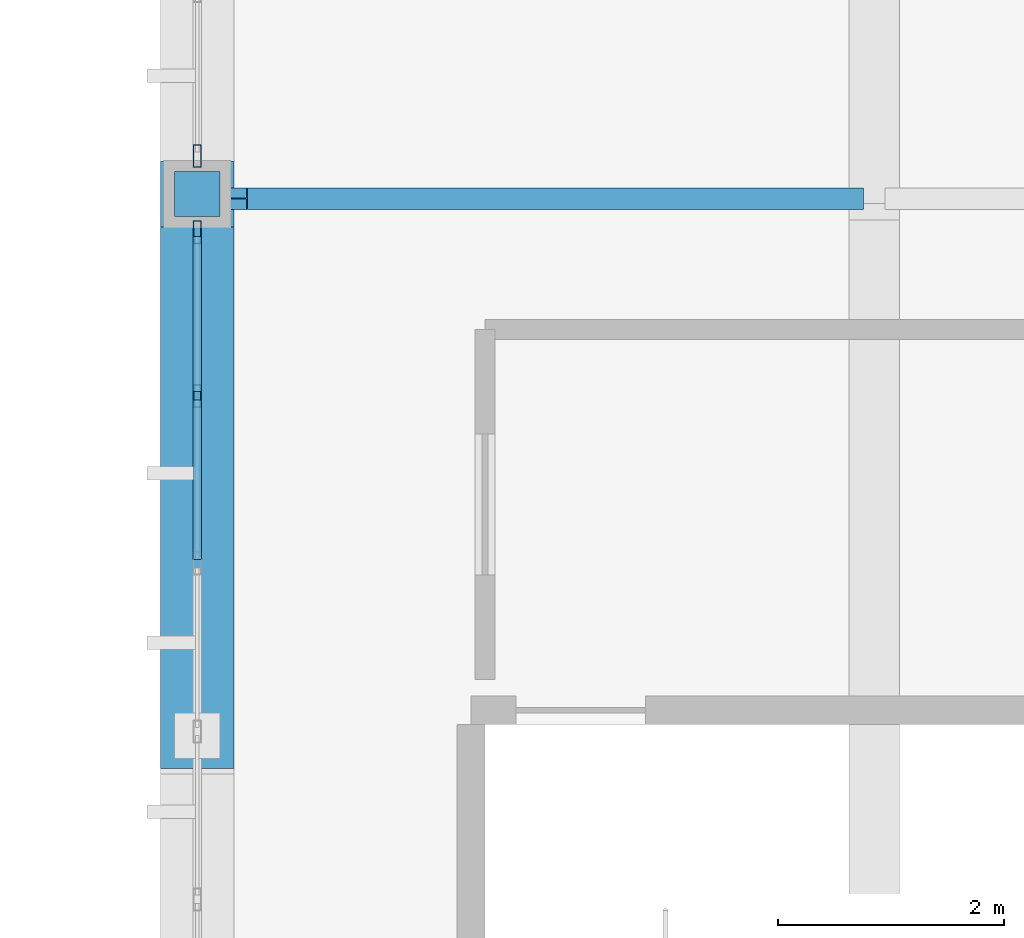
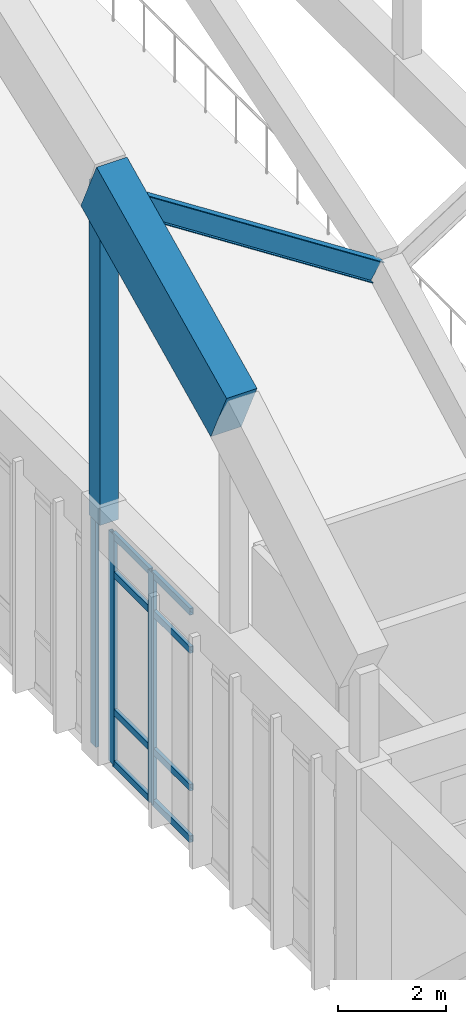
# One storey, part 31 of 236: 13 members, 1 beam, 2 elements without a shape of their own.
"""IFC4 building model written with IfcOpenShell, lengths in metres."""

from ifc_helpers import new_model, si_unit, direction, frame, origin, origin_2d, place, context, subcontext, project, spatial, rectangle, hollow_rectangle, i_section, extrude, material, layer, layer_set, material_profile, profile_set, type_object, element, aggregate, save


model = new_model("IFC4")

# Units and contexts
model_context = context("Model", 3, precision=1e-05, world=origin(), true_north=direction((0.0, 1.0)))
body_context = subcontext(model_context, "Body", "Model", "MODEL_VIEW")
ifc_project = project(units=[si_unit("LENGTHUNIT", "METRE"), si_unit("AREAUNIT", "SQUARE_METRE"), si_unit("VOLUMEUNIT", "CUBIC_METRE"), si_unit("PLANEANGLEUNIT", "RADIAN"), si_unit("MASSUNIT", "GRAM", prefix="KILO")], contexts=[model_context])

# Site, building, storey
site_placement = place(None, origin())
site = spatial("IfcSite", under=ifc_project, at=site_placement, CompositionType="ELEMENT")
building_placement = place(site_placement, origin())
building = spatial("IfcBuilding", under=site, at=building_placement, Name="Pandanus Reach Market Hall", CompositionType="ELEMENT")
storey_placement = place(building_placement, frame((0.0, 0.0, 5.39990234375)))
storey = spatial("IfcBuildingStorey", under=building, at=storey_placement, Name="L01", CompositionType="ELEMENT", Elevation=5.39990234375)

# Members
ifc_material_1 = material(Name="Concrete N50 (50 MPa)", Category="concrete")
ifc_material_profile_1 = material_profile(ifc_material_1, rectangle(XDim=0.64990234375, YDim=1.35009765625, at=origin_2d()), Name="RC650x1350", Category="LoadBearing")
ifc_profile_set_1 = profile_set([ifc_material_profile_1], Name="Concrete N50 (50 MPa)")
member_type_1 = type_object("IfcMemberType", Name="AR-RC650-E", PredefinedType="CHORD", material=ifc_profile_set_1)
member_1_placement = place(storey_placement, frame((48.0, 33.60009765625, 10.59130859375), z_axis=(0.0, 0.901823476756, 0.43210463637), x_axis=(-1.0, 0.0, 0.0)))
element("IfcMember", 1, at=member_1_placement, inside=storey, type_object=member_type_1, Name="Parabolic arch top chord A1.2", PredefinedType="CHORD", context=body_context, shape_type="SweptSolid", body=[
    extrude(rectangle(XDim=0.64990234375, YDim=1.35009765625, at=origin_2d()), origin(), (0.0, 0.0, 1.0), 5.322265625),
])
ifc_material_profile_2 = material_profile(ifc_material_1, rectangle(XDim=0.39990234375, YDim=0.39990234375, at=origin_2d()), Name="RC400x400", Category="LoadBearing")
ifc_profile_set_2 = profile_set([ifc_material_profile_2], Name="Concrete N50 (50 MPa)")
member_type_2 = type_object("IfcMemberType", Name="AR-WEB400-E", PredefinedType="STRUT", material=ifc_profile_set_2)
member_2_placement = place(storey_placement, frame((48.0, 38.39990234375, 5.3251953125), z_axis=(0.0, 0.0, 1.0), x_axis=(1.0, 0.0, 0.0)))
element("IfcMember", 2, at=member_2_placement, inside=storey, type_object=member_type_2, Name="Arch truss vertical web strut A1.2", PredefinedType="STRUT", context=body_context, shape_type="SweptSolid", body=[
    extrude(rectangle(XDim=0.39990234375, YDim=0.39990234375, at=origin_2d()), origin(), (0.0, 0.0, 1.0), 7.56591796875),
])

# Beam
ifc_material_2 = material(Name="Steel Grade 350 (350 MPa)", Category="steel")
ifc_material_profile_3 = material_profile(ifc_material_2, i_section(OverallWidth=0.18994140625, OverallDepth=0.45703125, WebThickness=0.009033203125, FlangeThickness=0.014404296875, at=origin_2d()), Name="460UB74.6", Category="LoadBearing")
ifc_profile_set_3 = profile_set([ifc_material_profile_3], Name="Steel Grade 350 (350 MPa)")
beam_type = type_object("IfcBeamType", Name="BM-UB460-I", PredefinedType="BEAM", material=ifc_profile_set_3)
beam_placement = place(storey_placement, frame((48.320068359375, 38.360107421875, 12.42431640625), z_axis=(0.839070527962, 0.0, -0.544022654956), x_axis=(0.0, 1.0, 0.0)))
element("IfcBeam", 3, at=beam_placement, inside=storey, type_object=beam_type, Name="Butterfly transverse rib B1.2L", PredefinedType="BEAM", context=body_context, shape_type="SweptSolid", body=[
    extrude(i_section(OverallWidth=0.18994140625, OverallDepth=0.45703125, WebThickness=0.009033203125, FlangeThickness=0.014404296875, at=origin_2d()), origin(), (0.0, 0.0, 1.0), 6.507080078125),
])

# Curtain wall, members
ifc_material_3 = material(Name="Bronze anodised aluminium and low-E glass", Category="aluminium")
ifc_layer_1 = layer(ifc_material_3, 0.199951171875, Name="CW-04")
ifc_layer_set_1 = layer_set([ifc_layer_1], Name="Bronze anodised aluminium and low-E glass")
curtain_wall_type_1 = type_object("IfcCurtainWallType", Name="CW-04", PredefinedType="NOTDEFINED", material=ifc_layer_set_1)
curtain_wall_1_placement = place(storey_placement, origin())
curtain_wall_1 = element("IfcCurtainWall", 4, at=curtain_wall_1_placement, inside=storey, type_object=curtain_wall_type_1, Name="Glazed curtain wall CW-04 CW-0019", PredefinedType="NOTDEFINED")
ifc_material_4 = material(Name="Bronze anodised aluminium", Category="aluminium")
ifc_material_profile_4 = material_profile(ifc_material_4, hollow_rectangle(XDim=0.074951171875, YDim=0.199951171875, WallThickness=0.00439453125, at=origin_2d()), Name="ALU75x200", Category="LoadBearing")
ifc_profile_set_4 = profile_set([ifc_material_profile_4], Name="Bronze anodised aluminium")
member_type_3 = type_object("IfcMemberType", Name="CW-M2", PredefinedType="MULLION", material=ifc_profile_set_4)
member_3_placement = place(storey_placement, frame((48.0, 36.612548828125, 0.0), z_axis=(0.0, 0.0, 1.0), x_axis=(-1.0, 0.0, 0.0)))
member_3 = element("IfcMember", 5, at=member_3_placement, type_object=member_type_3, Name="CW-04 mullion 6", PredefinedType="MULLION", context=body_context, shape_type="SweptSolid", body=[
    extrude(hollow_rectangle(XDim=0.074951171875, YDim=0.199951171875, WallThickness=0.00439453125, at=origin_2d()), origin(), (0.0, 0.0, 1.0), 5.2001953125),
])
member_4_placement = place(storey_placement, frame((48.0, 38.0625, 0.0), z_axis=(0.0, 0.0, 1.0), x_axis=(-1.0, 0.0, 0.0)))
member_4 = element("IfcMember", 6, at=member_4_placement, type_object=member_type_3, Name="CW-04 mullion 7", PredefinedType="MULLION", context=body_context, shape_type="SweptSolid", body=[
    extrude(hollow_rectangle(XDim=0.074951171875, YDim=0.199951171875, WallThickness=0.00439453125, at=origin_2d()), origin(), (0.0, 0.0, 1.0), 5.2001953125),
])

# Curtain wall, member
ifc_layer_2 = layer(ifc_material_3, 0.199951171875, Name="CW-05")
ifc_layer_set_2 = layer_set([ifc_layer_2], Name="Bronze anodised aluminium and low-E glass")
curtain_wall_type_2 = type_object("IfcCurtainWallType", Name="CW-05", PredefinedType="NOTDEFINED", material=ifc_layer_set_2)
curtain_wall_2_placement = place(storey_placement, origin())
curtain_wall_2 = element("IfcCurtainWall", 7, at=curtain_wall_2_placement, inside=storey, type_object=curtain_wall_type_2, Name="Glazed curtain wall CW-05 CW-0022", PredefinedType="NOTDEFINED")
member_5_placement = place(storey_placement, frame((48.0, 38.737548828125, 0.0), z_axis=(0.0, 0.0, 1.0), x_axis=(-1.0, 0.0, 0.0)))
member_5 = element("IfcMember", 8, at=member_5_placement, type_object=member_type_3, Name="CW-05 mullion 1", PredefinedType="MULLION", context=body_context, shape_type="SweptSolid", body=[
    extrude(hollow_rectangle(XDim=0.074951171875, YDim=0.199951171875, WallThickness=0.00439453125, at=origin_2d()), origin(), (0.0, 0.0, 1.0), 5.2001953125),
])
aggregate(curtain_wall_2, [member_5])

# Member
ifc_material_profile_5 = material_profile(ifc_material_4, hollow_rectangle(XDim=0.074951171875, YDim=0.14990234375, WallThickness=0.00439453125, at=origin_2d()), Name="ALU75x150", Category="LoadBearing")
ifc_profile_set_5 = profile_set([ifc_material_profile_5], Name="Bronze anodised aluminium")
member_type_4 = type_object("IfcMemberType", Name="CW-T2", PredefinedType="USERDEFINED", material=ifc_profile_set_5)
member_6_placement = place(storey_placement, frame((48.0, 35.16259765625, 0.03759765625), z_axis=(0.0, 1.0, 0.0), x_axis=(-1.0, 0.0, 0.0)))
member_6 = element("IfcMember", 9, at=member_6_placement, type_object=member_type_4, Name="CW-04 transom 5.1", ObjectType="TRANSOM", PredefinedType="USERDEFINED", context=body_context, shape_type="SweptSolid", body=[
    extrude(hollow_rectangle(XDim=0.074951171875, YDim=0.14990234375, WallThickness=0.00439453125, at=origin_2d()), origin(), (0.0, 0.0, 1.0), 1.412353515625),
])

member_7_placement = place(storey_placement, frame((48.0, 35.16259765625, 1.2001953125), z_axis=(0.0, 1.0, 0.0), x_axis=(-1.0, 0.0, 0.0)))
member_7 = element("IfcMember", 10, at=member_7_placement, type_object=member_type_4, Name="CW-04 transom 5.2", ObjectType="TRANSOM", PredefinedType="USERDEFINED", context=body_context, shape_type="SweptSolid", body=[
    extrude(hollow_rectangle(XDim=0.074951171875, YDim=0.14990234375, WallThickness=0.00439453125, at=origin_2d()), origin(), (0.0, 0.0, 1.0), 1.412353515625),
])

member_8_placement = place(storey_placement, frame((48.0, 35.16259765625, 4.300048828125), z_axis=(0.0, 1.0, 0.0), x_axis=(-1.0, 0.0, 0.0)))
member_8 = element("IfcMember", 11, at=member_8_placement, type_object=member_type_4, Name="CW-04 transom 5.3", ObjectType="TRANSOM", PredefinedType="USERDEFINED", context=body_context, shape_type="SweptSolid", body=[
    extrude(hollow_rectangle(XDim=0.074951171875, YDim=0.14990234375, WallThickness=0.00439453125, at=origin_2d()), origin(), (0.0, 0.0, 1.0), 1.412353515625),
])

member_9_placement = place(storey_placement, frame((48.0, 35.16259765625, 5.16259765625), z_axis=(0.0, 1.0, 0.0), x_axis=(-1.0, 0.0, 0.0)))
member_9 = element("IfcMember", 12, at=member_9_placement, type_object=member_type_4, Name="CW-04 transom 5.4", ObjectType="TRANSOM", PredefinedType="USERDEFINED", context=body_context, shape_type="SweptSolid", body=[
    extrude(hollow_rectangle(XDim=0.074951171875, YDim=0.14990234375, WallThickness=0.00439453125, at=origin_2d()), origin(), (0.0, 0.0, 1.0), 1.412353515625),
])

member_10_placement = place(storey_placement, frame((48.0, 36.64990234375, 0.03759765625), z_axis=(0.0, 1.0, 0.0), x_axis=(-1.0, 0.0, 0.0)))
member_10 = element("IfcMember", 13, at=member_10_placement, type_object=member_type_4, Name="CW-04 transom 6.1", ObjectType="TRANSOM", PredefinedType="USERDEFINED", context=body_context, shape_type="SweptSolid", body=[
    extrude(hollow_rectangle(XDim=0.074951171875, YDim=0.14990234375, WallThickness=0.00439453125, at=origin_2d()), origin(), (0.0, 0.0, 1.0), 1.375),
])

member_11_placement = place(storey_placement, frame((48.0, 36.64990234375, 1.2001953125), z_axis=(0.0, 1.0, 0.0), x_axis=(-1.0, 0.0, 0.0)))
member_11 = element("IfcMember", 14, at=member_11_placement, type_object=member_type_4, Name="CW-04 transom 6.2", ObjectType="TRANSOM", PredefinedType="USERDEFINED", context=body_context, shape_type="SweptSolid", body=[
    extrude(hollow_rectangle(XDim=0.074951171875, YDim=0.14990234375, WallThickness=0.00439453125, at=origin_2d()), origin(), (0.0, 0.0, 1.0), 1.375),
])

member_12_placement = place(storey_placement, frame((48.0, 36.64990234375, 4.300048828125), z_axis=(0.0, 1.0, 0.0), x_axis=(-1.0, 0.0, 0.0)))
member_12 = element("IfcMember", 15, at=member_12_placement, type_object=member_type_4, Name="CW-04 transom 6.3", ObjectType="TRANSOM", PredefinedType="USERDEFINED", context=body_context, shape_type="SweptSolid", body=[
    extrude(hollow_rectangle(XDim=0.074951171875, YDim=0.14990234375, WallThickness=0.00439453125, at=origin_2d()), origin(), (0.0, 0.0, 1.0), 1.375),
])

member_13_placement = place(storey_placement, frame((48.0, 36.64990234375, 5.16259765625), z_axis=(0.0, 1.0, 0.0), x_axis=(-1.0, 0.0, 0.0)))
member_13 = element("IfcMember", 16, at=member_13_placement, type_object=member_type_4, Name="CW-04 transom 6.4", ObjectType="TRANSOM", PredefinedType="USERDEFINED", context=body_context, shape_type="SweptSolid", body=[
    extrude(hollow_rectangle(XDim=0.074951171875, YDim=0.14990234375, WallThickness=0.00439453125, at=origin_2d()), origin(), (0.0, 0.0, 1.0), 1.375),
])

aggregate(curtain_wall_1, [member_3, member_4, member_6, member_7, member_8, member_9, member_10, member_11, member_12, member_13])

save(model, "model.ifc")
